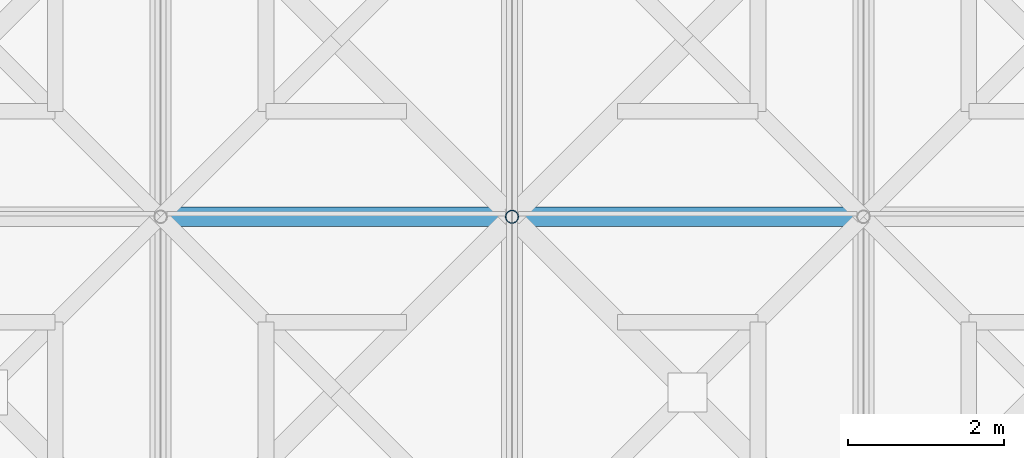
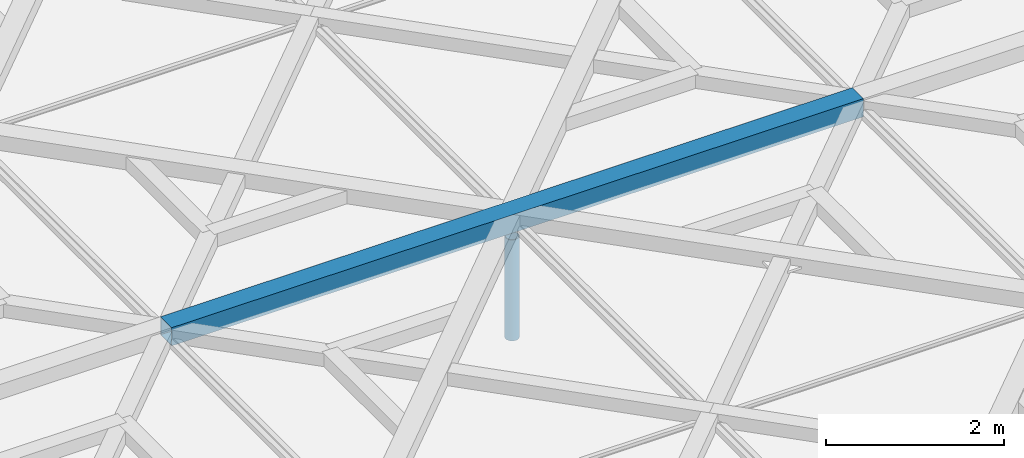
# One storey, part 27 of 80: 2 members.
"""IFC4 building model written with IfcOpenShell, lengths in metres."""

from ifc_helpers import new_model, si_unit, direction, frame, origin, origin_2d, place, context, subcontext, project, spatial, hollow_rectangle, hollow_circle, extrude, material, material_profile, profile_set, type_object, element, save


model = new_model("IFC4")

# Units and contexts
model_context = context("Model", 3, precision=1e-05, world=origin(), true_north=direction((0.0, 1.0)))
body_context = subcontext(model_context, "Body", "Model", "MODEL_VIEW")
ifc_project = project(units=[si_unit("LENGTHUNIT", "METRE"), si_unit("AREAUNIT", "SQUARE_METRE"), si_unit("VOLUMEUNIT", "CUBIC_METRE"), si_unit("PLANEANGLEUNIT", "RADIAN"), si_unit("MASSUNIT", "GRAM", prefix="KILO"), si_unit("THERMODYNAMICTEMPERATUREUNIT", "KELVIN"), si_unit("POWERUNIT", "WATT")], contexts=[model_context])

# Site, building, storey
site_placement = place(None, origin())
site = spatial("IfcSite", under=ifc_project, at=site_placement, CompositionType="ELEMENT")
building_placement = place(site_placement, origin())
building = spatial("IfcBuilding", under=site, at=building_placement, Name="Tallowbark Science Centre", CompositionType="ELEMENT")
storey_placement = place(building_placement, frame((0.0, 0.0, 25.949951171875)))
storey = spatial("IfcBuildingStorey", under=building, at=storey_placement, Name="ROOF", CompositionType="ELEMENT", Elevation=25.949951171875)

# Members
ifc_material = material(Name="White Architectural Painted Steel Grade C350L0 (350 MPa)", Category="steel")
ifc_material_profile_1 = material_profile(ifc_material, hollow_rectangle(XDim=0.25, YDim=0.25, WallThickness=0.009033203125, at=origin_2d()), Name="250x250x9.0SHS")
ifc_profile_set_1 = profile_set([ifc_material_profile_1], Name="White Architectural Painted Steel Grade C350L0 (350 MPa)")
member_type_1 = type_object("IfcMemberType", Name="SCR-CHD200", PredefinedType="CHORD", material=ifc_profile_set_1)
member_1_placement = place(storey_placement, frame((67.5, 22.5, 0.449951171875), z_axis=(1.0, 0.0, 0.0), x_axis=(0.0, 1.0, 0.0)))
element("IfcMember", 1, at=member_1_placement, inside=storey, type_object=member_type_1, Name="Star Screen Frame Chord TOP-59", PredefinedType="CHORD", context=body_context, shape_type="SweptSolid", body=[
    extrude(hollow_rectangle(XDim=0.25, YDim=0.25, WallThickness=0.009033203125, at=origin_2d()), origin(), (0.0, 0.0, 1.0), 9.0),
])
ifc_material_profile_2 = material_profile(ifc_material, hollow_circle(Radius=0.084228515625, WallThickness=0.007080078125, at=origin_2d()), Name="168.3x7.1CHS")
ifc_profile_set_2 = profile_set([ifc_material_profile_2], Name="White Architectural Painted Steel Grade C350L0 (350 MPa)")
member_type_2 = type_object("IfcMemberType", Name="TR-WEB168", PredefinedType="BRACE", material=ifc_profile_set_2)
member_2_placement = place(storey_placement, frame((72.0, 22.5, -1.199951171875), z_axis=(0.0, 0.0, 1.0), x_axis=(1.0, 0.0, 0.0)))
element("IfcMember", 2, at=member_2_placement, inside=storey, type_object=member_type_2, Name="Exhibition Roof Truss Web 4-22.5", PredefinedType="BRACE", context=body_context, shape_type="SweptSolid", body=[
    extrude(hollow_circle(Radius=0.084228515625, WallThickness=0.007080078125, at=origin_2d()), origin(), (0.0, 0.0, 1.0), 1.389892578125),
])

save(model, "model.ifc")
